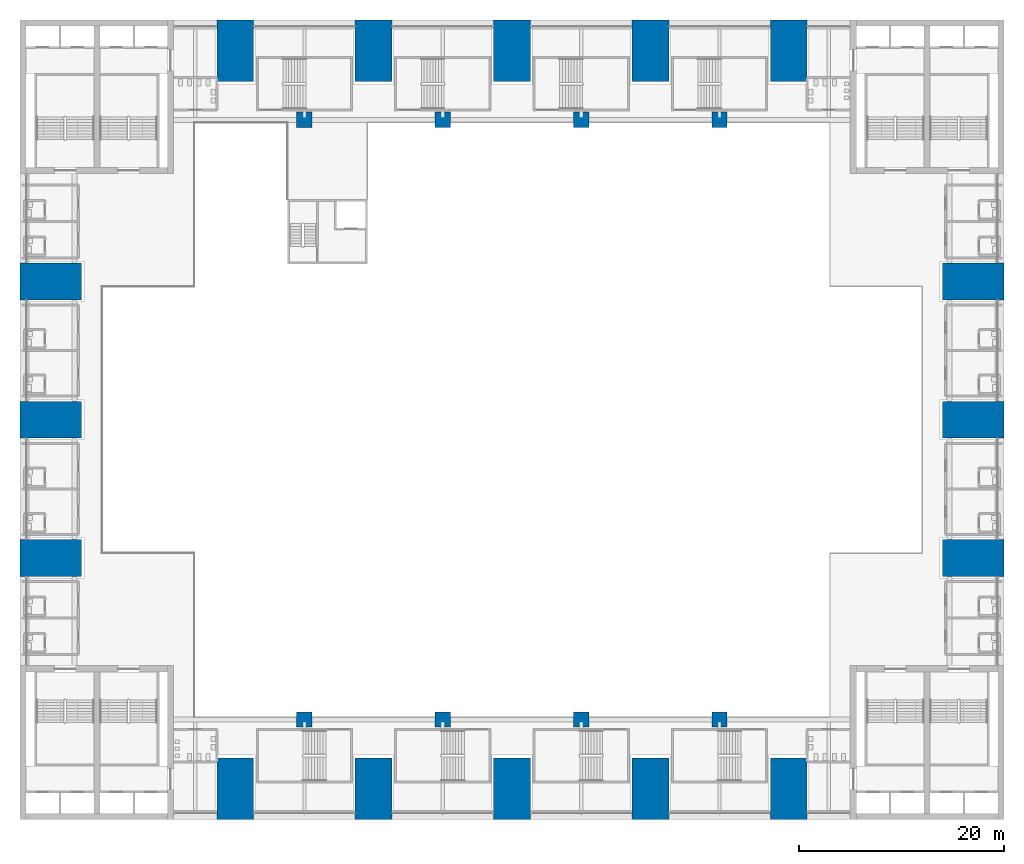
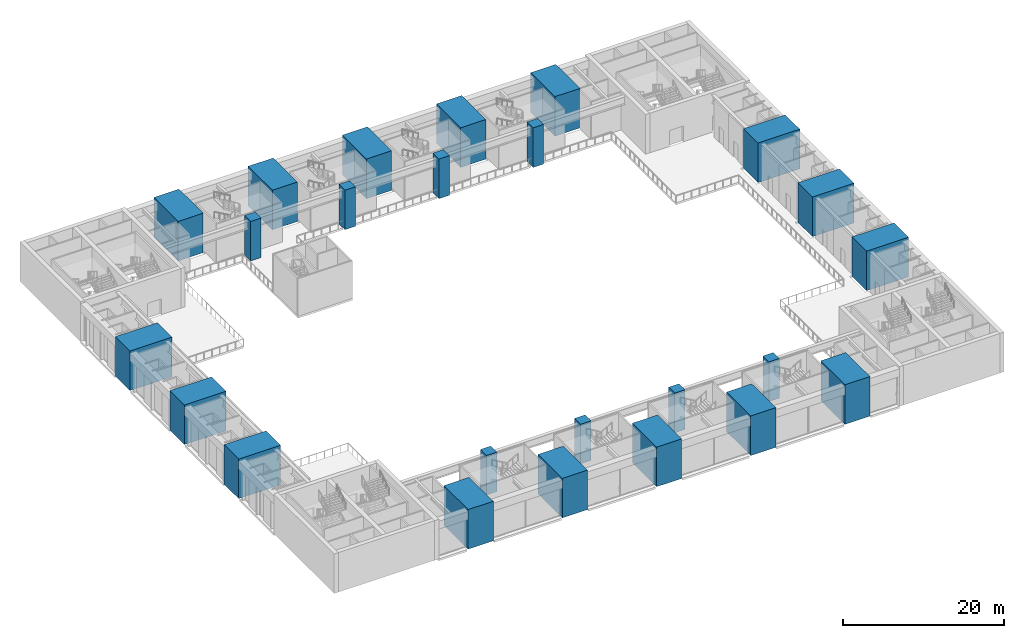
# One storey, part 1 of 43: 24 columns.
"""IFC4 building model written with IfcOpenShell, lengths in metres."""

from ifc_helpers import new_model, si_unit, direction, frame, origin, origin_2d, place, context, subcontext, project, spatial, rectangle, extrude, material, material_profile, profile_set, type_object, element, save


model = new_model("IFC4")

# Units and contexts
model_context = context("Model", 3, precision=1e-05, world=origin(), true_north=direction((0.0, 1.0)))
body_context = subcontext(model_context, "Body", "Model", "MODEL_VIEW")
ifc_project = project(units=[si_unit("LENGTHUNIT", "METRE"), si_unit("AREAUNIT", "SQUARE_METRE"), si_unit("VOLUMEUNIT", "CUBIC_METRE"), si_unit("PLANEANGLEUNIT", "RADIAN"), si_unit("MASSUNIT", "GRAM", prefix="KILO")], contexts=[model_context])

# Site, building, storey
site_placement = place(None, origin())
site = spatial("IfcSite", under=ifc_project, at=site_placement, CompositionType="ELEMENT")
building_placement = place(site_placement, origin())
building = spatial("IfcBuilding", under=site, at=building_placement, Name="Corbelhall Arena Tower", CompositionType="ELEMENT")
storey_placement = place(building_placement, frame((0.0, 0.0, 25.0)))
storey = spatial("IfcBuildingStorey", under=building, at=storey_placement, Name="L03", CompositionType="ELEMENT", Elevation=25.0)

# Columns
ifc_material = material(Name="Concrete C80/95", Category="concrete")
ifc_material_profile_1 = material_profile(ifc_material, rectangle(XDim=3.60009765625, YDim=6.0, at=origin_2d()))
ifc_profile_set_1 = profile_set([ifc_material_profile_1], Name="Concrete C80/95")
column_type_1 = type_object("IfcColumnType", Name="PO-PIER-L03", PredefinedType="COLUMN", material=ifc_profile_set_1)
for number, where, z_axis, x_axis, name in (
    (1, (-27.0, 36.0, 0.0), (0.0, 0.0, 1.0), (1.0, 0.0, 0.0), "PIER N-27.0 L03"),
    (2, (-27.0, -36.0, 0.0), (0.0, 0.0, 1.0), (1.0, 0.0, 0.0), "PIER S-27.0 L03"),
    (3, (-13.5, 36.0, 0.0), (0.0, 0.0, 1.0), (1.0, 0.0, 0.0), "PIER N-13.5 L03"),
    (4, (-13.5, -36.0, 0.0), (0.0, 0.0, 1.0), (1.0, 0.0, 0.0), "PIER S-13.5 L03"),
    (5, (0.0, 36.0, 0.0), (0.0, 0.0, 1.0), (1.0, 0.0, 0.0), "PIER N+0.0 L03"),
    (6, (0.0, -36.0, 0.0), (0.0, 0.0, 1.0), (1.0, 0.0, 0.0), "PIER S+0.0 L03"),
    (7, (13.5, 36.0, 0.0), (0.0, 0.0, 1.0), (1.0, 0.0, 0.0), "PIER N+13.5 L03"),
    (8, (13.5, -36.0, 0.0), (0.0, 0.0, 1.0), (1.0, 0.0, 0.0), "PIER S+13.5 L03"),
    (9, (27.0, 36.0, 0.0), (0.0, 0.0, 1.0), (1.0, 0.0, 0.0), "PIER N+27.0 L03"),
    (10, (27.0, -36.0, 0.0), (0.0, 0.0, 1.0), (1.0, 0.0, 0.0), "PIER S+27.0 L03"),
    (11, (45.0, -13.5, 0.0), (0.0, 0.0, 1.0), (0.0, 1.0, 0.0), "PIER E-13.5 L03"),
    (12, (-45.0, -13.5, 0.0), (0.0, 0.0, 1.0), (0.0, 1.0, 0.0), "PIER W-13.5 L03"),
    (13, (45.0, 0.0, 0.0), (0.0, 0.0, 1.0), (0.0, 1.0, 0.0), "PIER E+0.0 L03"),
    (14, (-45.0, 0.0, 0.0), (0.0, 0.0, 1.0), (0.0, 1.0, 0.0), "PIER W+0.0 L03"),
    (15, (45.0, 13.5, 0.0), (0.0, 0.0, 1.0), (0.0, 1.0, 0.0), "PIER E+13.5 L03"),
    (16, (-45.0, 13.5, 0.0), (0.0, 0.0, 1.0), (0.0, 1.0, 0.0), "PIER W+13.5 L03"),
):
    element("IfcColumn", number, at=place(storey_placement, frame(where, z_axis=z_axis, x_axis=x_axis)), inside=storey, type_object=column_type_1, Name=name, PredefinedType="COLUMN", context=body_context, shape_type="SweptSolid", body=[
        extrude(rectangle(XDim=3.60009765625, YDim=6.0, at=origin_2d()), origin(), (0.0, 0.0, 1.0), 6.0),
    ])
ifc_material_profile_2 = material_profile(ifc_material, rectangle(XDim=1.5, YDim=1.5, at=origin_2d()))
ifc_profile_set_2 = profile_set([ifc_material_profile_2], Name="Concrete C80/95")
column_type_2 = type_object("IfcColumnType", Name="PO-RINGCOL-1500", PredefinedType="COLUMN", material=ifc_profile_set_2)
for number, where, z_axis, x_axis, name in (
    (17, (-20.25, 29.25, 0.0), (0.0, 0.0, 1.0), (1.0, 0.0, 0.0), "RING COLUMN -20.25 +29.25 L03"),
    (18, (-20.25, -29.25, 0.0), (0.0, 0.0, 1.0), (1.0, 0.0, 0.0), "RING COLUMN -20.25 -29.25 L03"),
    (19, (-6.75, 29.25, 0.0), (0.0, 0.0, 1.0), (1.0, 0.0, 0.0), "RING COLUMN -6.75 +29.25 L03"),
    (20, (-6.75, -29.25, 0.0), (0.0, 0.0, 1.0), (1.0, 0.0, 0.0), "RING COLUMN -6.75 -29.25 L03"),
    (21, (6.75, 29.25, 0.0), (0.0, 0.0, 1.0), (1.0, 0.0, 0.0), "RING COLUMN +6.75 +29.25 L03"),
    (22, (6.75, -29.25, 0.0), (0.0, 0.0, 1.0), (1.0, 0.0, 0.0), "RING COLUMN +6.75 -29.25 L03"),
    (23, (20.25, 29.25, 0.0), (0.0, 0.0, 1.0), (1.0, 0.0, 0.0), "RING COLUMN +20.25 +29.25 L03"),
    (24, (20.25, -29.25, 0.0), (0.0, 0.0, 1.0), (1.0, 0.0, 0.0), "RING COLUMN +20.25 -29.25 L03"),
):
    element("IfcColumn", number, at=place(storey_placement, frame(where, z_axis=z_axis, x_axis=x_axis)), inside=storey, type_object=column_type_2, Name=name, PredefinedType="COLUMN", context=body_context, shape_type="SweptSolid", body=[
        extrude(rectangle(XDim=1.5, YDim=1.5, at=origin_2d()), origin(), (0.0, 0.0, 1.0), 6.0),
    ])

save(model, "model.ifc")
